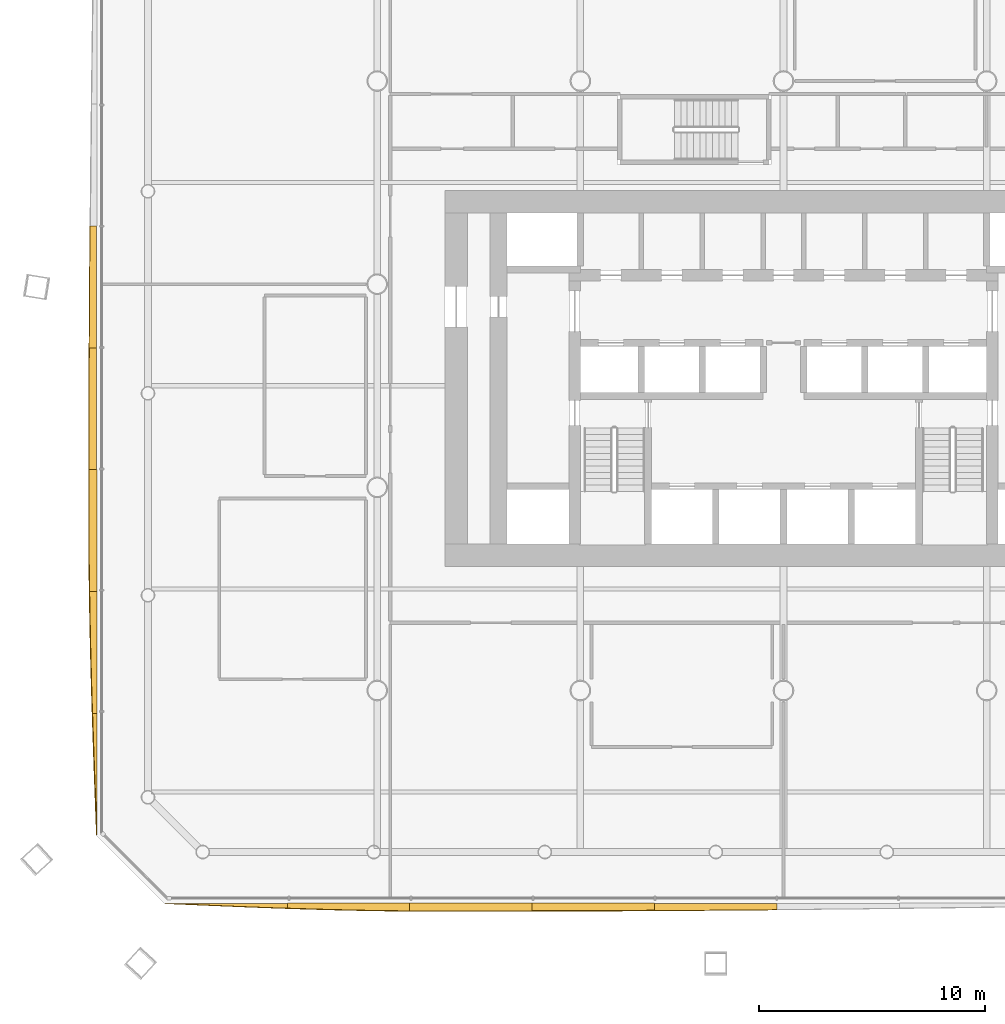
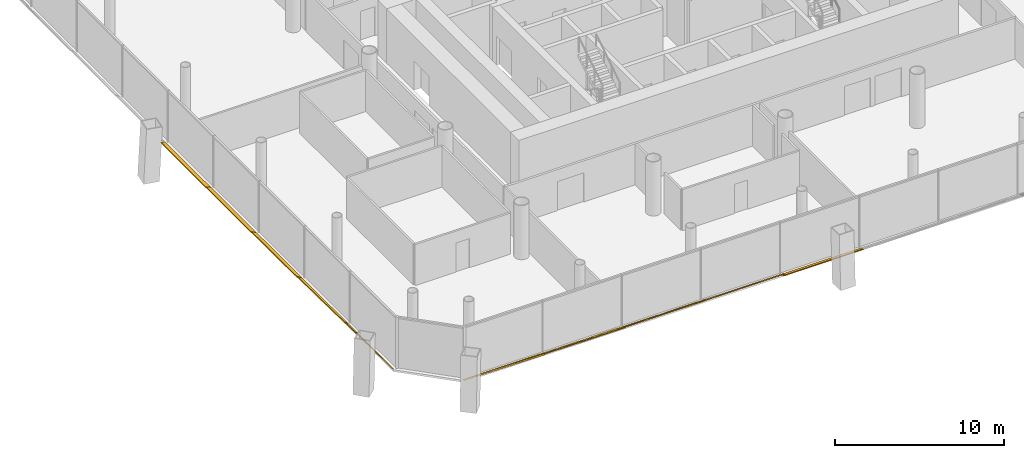
# One storey, part 18 of 22: 10 shading devices.
"""IFC4 building model written with IfcOpenShell, lengths in metres."""

from ifc_helpers import new_model, si_unit, direction, frame, origin, place, context, subcontext, project, spatial, polyline, outline, extrude, material, layer, layer_set, type_object, element, save


model = new_model("IFC4")

# Units and contexts
model_context = context("Model", 3, precision=1e-05, world=origin(), true_north=direction((0.0, 1.0)))
body_context = subcontext(model_context, "Body", "Model", "MODEL_VIEW")
ifc_project = project(units=[si_unit("LENGTHUNIT", "METRE"), si_unit("AREAUNIT", "SQUARE_METRE"), si_unit("VOLUMEUNIT", "CUBIC_METRE"), si_unit("PLANEANGLEUNIT", "RADIAN"), si_unit("MASSUNIT", "GRAM", prefix="KILO")], contexts=[model_context])

# Site, building, storey
site_placement = place(None, origin())
site = spatial("IfcSite", under=ifc_project, at=site_placement, CompositionType="ELEMENT")
building_placement = place(site_placement, origin())
building = spatial("IfcBuilding", under=site, at=building_placement, Name="Tskaro Facet Tower", CompositionType="ELEMENT")
storey_placement = place(building_placement, frame((0.0, 0.0, 26.39990234375)))
storey = spatial("IfcBuildingStorey", under=building, at=storey_placement, Name="L05", CompositionType="ELEMENT", Elevation=26.39990234375)

# Shading devices
ifc_material = material(Name="Bronze anodised aluminium 6063-T6", Category="aluminium")
ifc_layer = layer(ifc_material, 0.06005859375, Name="Bronze anodised aluminium 6063-T6")
ifc_layer_set = layer_set([ifc_layer], Name="Bronze anodised aluminium 6063-T6")
shading_device_type = type_object("IfcShadingDeviceType", Name="Bronze sun blade (FN1)", PredefinedType="USERDEFINED", material=ifc_layer_set)
shading_device_1_placement = place(storey_placement, frame((-27.408935546875, -27.4267578125, 0.054443359375), z_axis=(-4.253183e-06, 0.423287896792, 0.905995229795), x_axis=(0.999999999991, 1.800321e-06, 3.853363e-06)))
element("IfcShadingDevice", 1, at=shading_device_1_placement, inside=storey, type_object=shading_device_type, Name="Fin blade south 1", ObjectType="FIN", PredefinedType="USERDEFINED", context=body_context, shape_type="SweptSolid", body=[
    extrude(outline(polyline([(0.0, 0.0), (5.424072265575941, 0.0), (5.424072265680834, -0.24334501585940788), (4.74609374986097, -0.21691465068037413), (4.06811523435724, -0.18917165074972714), (3.390136718668411, -0.15979148405413715), (2.7121582032957137, -0.12909868260693388), (2.0339355462955564, -0.09775681713307105), (1.3559570316785228, -0.06553019069260335), (0.6779785156194957, -0.03287569046712729), (0.0, 0.0)])), origin(), (0.0, 0.0, -1.0), 0.06005859375),
])
shading_device_2_placement = place(storey_placement, frame((-21.98486328125, -27.422119140625, 0.052001953125), z_axis=(1.0583046e-05, 0.500335606419, 0.86583155454), x_axis=(0.999999999944, -5.295075e-06, -9.163135e-06)))
element("IfcShadingDevice", 2, at=shading_device_2_placement, inside=storey, type_object=shading_device_type, Name="Fin blade south 2", ObjectType="FIN", PredefinedType="USERDEFINED", context=body_context, shape_type="SweptSolid", body=[
    extrude(outline(polyline([(0.0, 0.0), (5.424316405946236, 0.0), (5.424316406573514, -0.39388122953198335), (4.746337891527527, -0.38567448627205453), (4.068359374739581, -0.3747431352049673), (3.390136720058875, -0.36084287183538605), (2.7121582020241006, -0.3443401529063143), (2.0341796870699445, -0.3254134432361802), (1.356201171666571, -0.30397351041576964), (0.6782226548696285, -0.2803538913496324), (-4.160327324769876e-10, -0.2546438184469825), (0.0, 0.0)])), origin(), (0.0, 0.0, -1.0), 0.06005859375),
])
shading_device_3_placement = place(storey_placement, frame((-16.560546875, -27.41748046875, 0.04931640625), z_axis=(-1.756033e-06, 0.573275640829, 0.819362581297), x_axis=(0.999999999998, 1.006691e-06, 1.438828e-06)))
element("IfcShadingDevice", 3, at=shading_device_3_placement, inside=storey, type_object=shading_device_type, Name="Fin blade south 3", ObjectType="FIN", PredefinedType="USERDEFINED", context=body_context, shape_type="SweptSolid", body=[
    extrude(outline(polyline([(0.0, 0.0), (5.424316406241637, 5.74321839053224e-22), (5.424316406233552, -0.4186363236472812), (4.7460937500205596, -0.4207364008624263), (4.068115234221563, -0.42215647894567315), (3.3901367186683413, -0.4233765173362203), (2.712158203255391, -0.4240565164681186), (2.0341796874911644, -0.4245965557267674), (1.5512695312419087, -0.4245965557267674), (1.3559570312422098, -0.4245965557267674), (0.6779785157225647, -0.4219564392529735), (-4.404718441284553e-11, -0.4165362464321361), (0.0, 0.0)])), origin(), (0.0, 0.0, -1.0), 0.06005859375),
])
shading_device_4_placement = place(storey_placement, frame((-11.13623046875, -27.413330078125, 0.046142578125), z_axis=(-1.2635e-08, 0.642552454181, 0.766241700526), x_axis=(1.0, 8.119e-09, 9.682e-09)))
element("IfcShadingDevice", 4, at=shading_device_4_placement, inside=storey, type_object=shading_device_type, Name="Fin blade south 4", ObjectType="FIN", PredefinedType="USERDEFINED", context=body_context, shape_type="SweptSolid", body=[
    extrude(outline(polyline([(0.0, 0.0), (5.424072265624999, 4.486687419211576e-24), (5.424072265624496, -0.41799726823487937), (4.74609374999851, -0.42302975092842904), (4.068115234376488, -0.4276880921666435), (3.3901367187497398, -0.4320326870893398), (2.7119140624995905, -0.4358462673989418), (2.033935546876424, -0.43947277698087617), (1.3559570312505125, -0.44259846951962484), (0.6779785156242193, -0.4453802181729467), (-4.734289871924861e-13, -0.44763095221317445), (0.0, 0.0)])), origin(), (0.0, 0.0, -1.0), 0.06005859375),
])
shading_device_5_placement = place(storey_placement, frame((-5.712158203125, -27.431396484375, 0.056396484375), z_axis=(-1.438013e-06, 0.342224016223, 0.939618392071), x_axis=(0.999999999999, 4.92123e-07, 1.351184e-06)))
element("IfcShadingDevice", 5, at=shading_device_5_placement, inside=storey, type_object=shading_device_type, Name="Fin blade south 5", ObjectType="FIN", PredefinedType="USERDEFINED", context=body_context, shape_type="SweptSolid", body=[
    extrude(outline(polyline([(0.0, 0.0), (5.424316406244392, 2.87160919526612e-22), (5.424316406324978, -0.29804490588084426), (4.74633789066591, -0.30453183848529003), (4.068115234292259, -0.3104764222615212), (3.390136718663753, -0.3161916070162504), (2.712158203155395, -0.32167739274947754), (2.034179687437305, -0.32685022867599206), (1.3562011718393623, -0.33179366558100465), (0.6779785157365666, -0.3365077034645152), (4.903925359717629e-11, -0.340908791541313), (0.0, 0.0)])), origin(), (0.0, 0.0, -1.0), 0.06005859375),
])
shading_device_6_placement = place(storey_placement, frame((-30.431396484375, 2.579345703125, 0.056396484375), z_axis=(0.342108694048, 1.181804e-05, 0.939660386159), x_axis=(4.043054e-06, -0.99999999993, 1.1104944e-05)))
element("IfcShadingDevice", 6, at=shading_device_6_placement, inside=storey, type_object=shading_device_type, Name="Fin blade west 5", ObjectType="FIN", PredefinedType="USERDEFINED", context=body_context, shape_type="SweptSolid", body=[
    extrude(outline(polyline([(0.0, 0.0), (5.3977050777480615, 2.286017020366861e-21), (5.397705078356073, -0.35025331284680994), (4.722900389442296, -0.3463110379547676), (4.048339843127649, -0.34190994451476375), (3.37353515618802, -0.33750885107476), (2.6987304685113696, -0.33256541645640614), (2.024169922446776, -0.3273925725640716), (1.3493652340331053, -0.3219067967673677), (0.6748046882185651, -0.31596220242270234), (-9.321259638879465e-10, -0.30993408544764844), (0.0, 0.0)])), origin(), (0.0, 0.0, -1.0), 0.06005859375),
])
shading_device_7_placement = place(storey_placement, frame((-30.4267578125, -2.818359375, 0.054443359375), z_axis=(0.422796241631, 7.947135e-06, 0.906224772338), x_axis=(3.360019e-06, -0.999999999968, 7.20189e-06)))
element("IfcShadingDevice", 7, at=shading_device_7_placement, inside=storey, type_object=shading_device_type, Name="Fin blade west 6", ObjectType="FIN", PredefinedType="USERDEFINED", context=body_context, shape_type="SweptSolid", body=[
    extrude(outline(polyline([(0.0, 0.0), (5.397705077954549, -2.286017020366861e-21), (5.397705077902032, -0.38228126561454334), (4.7229003901880615, -0.38118983700791337), (4.048339842981443, -0.37955269409796843), (3.3735351559701505, -0.37769430490570743), (2.6987304680208997, -0.3755114476924475), (2.024169922337276, -0.37288609791455546), (1.3493652350907028, -0.3699362801156645), (0.6745605477264899, -0.3664407480134585), (-7.710048835111775e-10, -0.36284199417256974), (0.0, 0.0)])), origin(), (0.0, 0.0, -1.0), 0.06005859375),
])
shading_device_8_placement = place(storey_placement, frame((-30.422119140625, -8.216064453125, 0.052001953125), z_axis=(0.500310463827, 9.249726e-06, 0.865846083146), x_axis=(4.627735e-06, -0.999999999957, 8.008839e-06)))
element("IfcShadingDevice", 8, at=shading_device_8_placement, inside=storey, type_object=shading_device_type, Name="Fin blade west 7", ObjectType="FIN", PredefinedType="USERDEFINED", context=body_context, shape_type="SweptSolid", body=[
    extrude(outline(polyline([(0.0, 0.0), (5.397705077894093, 0.0), (5.3977050790238845, -0.37114006554145695), (4.722900390810427, -0.3815264973819347), (4.048095701859098, -0.3896110930445052), (3.373535155575637, -0.39584953295174663), (2.698730467929315, -0.3997861366810809), (2.0241699221253957, -0.40154305034184584), (1.813476562759409, -0.40154305034184584), (1.349365234654263, -0.40154305034184584), (0.6745605474874833, -0.40099812782470357), (1.2022838935786855e-10, -0.40011967099432105), (0.0, 0.0)])), origin(), (0.0, 0.0, -1.0), 0.06005859375),
])
shading_device_9_placement = place(storey_placement, frame((-30.41748046875, -13.61376953125, 0.04931640625), z_axis=(0.573209173697, -2.6546098e-05, 0.819409081281), x_axis=(-1.5216467e-05, -0.999999999648, -2.1752114e-05)))
element("IfcShadingDevice", 9, at=shading_device_9_placement, inside=storey, type_object=shading_device_type, Name="Fin blade west 8", ObjectType="FIN", PredefinedType="USERDEFINED", context=body_context, shape_type="SweptSolid", body=[
    extrude(outline(polyline([(0.0, 0.0), (5.397460935598217, 9.143654491161168e-21), (5.3974609395013475, -0.2361692587950185), (4.722900390000956, -0.2615702164042273), (4.048095702543161, -0.28541114420302544), (3.373535153067214, -0.30783198583738447), (2.6987304709444384, -0.32855285401536144), (2.023925778748682, -0.3474535339382893), (1.3493652314409674, -0.36445418935953017), (0.6745605477714651, -0.379554820279084), (-3.750486504834211e-09, -0.3924952682523123), (0.0, 0.0)])), origin(), (0.0, 0.0, -1.0), 0.06005859375),
])
shading_device_10_placement = place(storey_placement, frame((-30.413330078125, -19.01123046875, 0.046142578125), z_axis=(0.641949488638, -3.016058e-06, 0.766746929585), x_axis=(-1.936157e-06, -0.999999999995, -2.312553e-06)))
element("IfcShadingDevice", 10, at=shading_device_10_placement, inside=storey, type_object=shading_device_type, Name="Fin blade west 9", ObjectType="FIN", PredefinedType="USERDEFINED", context=body_context, shape_type="SweptSolid", body=[
    extrude(outline(polyline([(0.0, 0.0), (5.39770507810045, -1.1430085101834306e-21), (4.723144531177685, -0.033447261378713844), (4.04833984419451, -0.06673779680805245), (3.373535156265947, -0.09965394408817785), (2.698974609146169, -0.1318822513203396), (2.024169922057874, -0.16360991257914426), (1.3496093748329758, -0.19427534564077203), (0.6748046872587601, -0.22390901863045432), (-3.9774824523331015e-11, -0.25251093154819104), (0.0, 0.0)])), origin(), (0.0, 0.0, -1.0), 0.06005859375),
])

save(model, "model.ifc")
